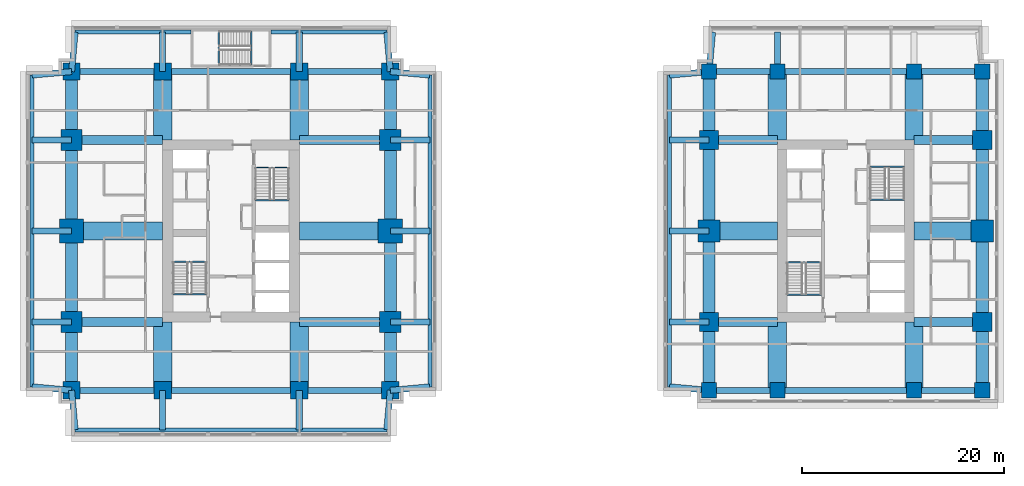
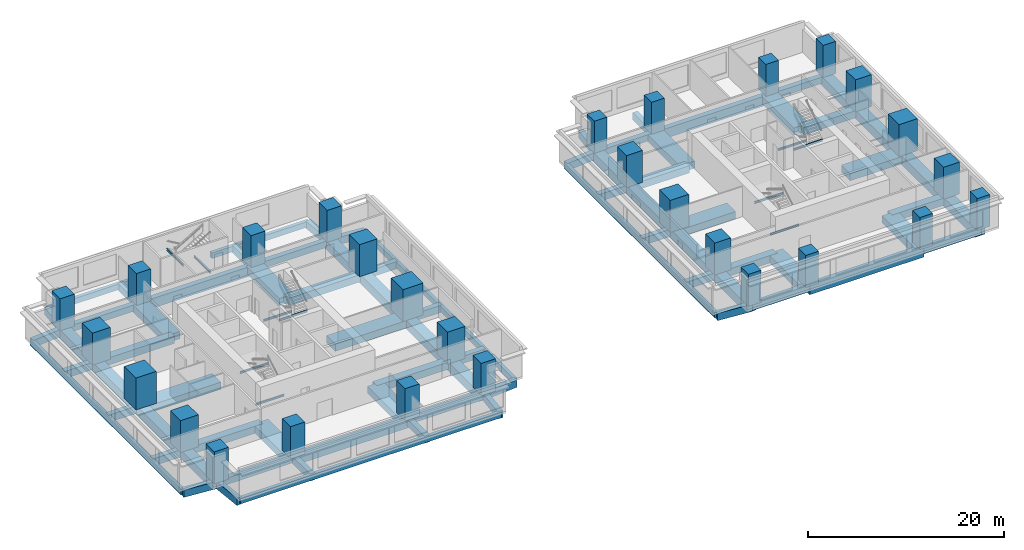
# One storey, part 1 of 10: 89 beams, 28 columns.
"""IFC4 building model written with IfcOpenShell, lengths in metres."""

from ifc_helpers import new_model, si_unit, direction, frame, origin, origin_2d, place, context, subcontext, project, spatial, rectangle, i_section, extrude, material, material_profile, profile_set, type_object, element, save


model = new_model("IFC4")

# Units and contexts
model_context = context("Model", 3, precision=1e-05, world=origin(), true_north=direction((0.0, 1.0)))
body_context = subcontext(model_context, "Body", "Model", "MODEL_VIEW")
ifc_project = project(units=[si_unit("LENGTHUNIT", "METRE"), si_unit("AREAUNIT", "SQUARE_METRE"), si_unit("VOLUMEUNIT", "CUBIC_METRE"), si_unit("PLANEANGLEUNIT", "RADIAN"), si_unit("MASSUNIT", "GRAM", prefix="KILO")], contexts=[model_context])

# Site, building, storey
site_placement = place(None, origin())
site = spatial("IfcSite", under=ifc_project, at=site_placement, CompositionType="ELEMENT")
building_placement = place(site_placement, origin())
building = spatial("IfcBuilding", under=site, at=building_placement, Name="Namib Vertical Campus", CompositionType="ELEMENT")
storey_placement = place(building_placement, frame((0.0, 0.0, 161.0)))
storey = spatial("IfcBuildingStorey", under=building, at=storey_placement, Name="L38", CompositionType="ELEMENT", Elevation=161.0)

# Columns
ifc_material_1 = material(Name="Concrete C60/75", Category="concrete")
ifc_material_profile_1 = material_profile(ifc_material_1, rectangle(XDim=1.5, YDim=1.5, at=origin_2d()))
ifc_profile_set_1 = profile_set([ifc_material_profile_1], Name="Concrete C60/75")
column_type_1 = type_object("IfcColumnType", Name="Column RC 1500x1500", PredefinedType="COLUMN", material=ifc_profile_set_1)
for number, where, z_axis, x_axis, name in (
    (1, (67.5, 4.5, 0.0), (0.0, 0.0, 1.0), (1.0, 0.0, 0.0), "Column C150 L38"),
    (2, (74.25, 4.5, 0.0), (0.0, 0.0, 1.0), (1.0, 0.0, 0.0), "Column C150 L38"),
    (3, (87.75, 4.5, 0.0), (0.0, 0.0, 1.0), (1.0, 0.0, 0.0), "Column C150 L38"),
    (4, (94.5, 4.5, 0.0), (0.0, 0.0, 1.0), (1.0, 0.0, 0.0), "Column C150 L38"),
    (5, (67.5, 36.0, 0.0), (0.0, 0.0, 1.0), (1.0, 0.0, 0.0), "Column C150 L38"),
    (6, (74.25, 36.0, 0.0), (0.0, 0.0, 1.0), (1.0, 0.0, 0.0), "Column C150 L38"),
    (7, (87.75, 36.0, 0.0), (0.0, 0.0, 1.0), (1.0, 0.0, 0.0), "Column C150 L38"),
    (8, (94.5, 36.0, 0.0), (0.0, 0.0, 1.0), (1.0, 0.0, 0.0), "Column C150 L38"),
):
    element("IfcColumn", number, at=place(storey_placement, frame(where, z_axis=z_axis, x_axis=x_axis)), inside=storey, type_object=column_type_1, Name=name, PredefinedType="COLUMN", context=body_context, shape_type="SweptSolid", body=[
        extrude(rectangle(XDim=1.5, YDim=1.5, at=origin_2d()), origin(), (0.0, 0.0, 1.0), 4.0),
    ])
ifc_material_2 = material(Name="Concrete C60/75", Category="concrete")
ifc_material_profile_2 = material_profile(ifc_material_2, rectangle(XDim=1.699951171875, YDim=1.699951171875, at=origin_2d()))
ifc_profile_set_2 = profile_set([ifc_material_profile_2], Name="Concrete C60/75")
column_type_2 = type_object("IfcColumnType", Name="Column RC 1700x1700", PredefinedType="COLUMN", material=ifc_profile_set_2)
for number, where, z_axis, x_axis, name in (
    (9, (4.5, 4.5, 0.0), (0.0, 0.0, 1.0), (1.0, 0.0, 0.0), "Column C170 L38"),
    (10, (13.5, 4.5, 0.0), (0.0, 0.0, 1.0), (1.0, 0.0, 0.0), "Column C170 L38"),
    (11, (27.0, 4.5, 0.0), (0.0, 0.0, 1.0), (1.0, 0.0, 0.0), "Column C170 L38"),
    (12, (36.0, 4.5, 0.0), (0.0, 0.0, 1.0), (1.0, 0.0, 0.0), "Column C170 L38"),
    (13, (4.5, 36.0, 0.0), (0.0, 0.0, 1.0), (1.0, 0.0, 0.0), "Column C170 L38"),
    (14, (13.5, 36.0, 0.0), (0.0, 0.0, 1.0), (1.0, 0.0, 0.0), "Column C170 L38"),
    (15, (27.0, 36.0, 0.0), (0.0, 0.0, 1.0), (1.0, 0.0, 0.0), "Column C170 L38"),
    (16, (36.0, 36.0, 0.0), (0.0, 0.0, 1.0), (1.0, 0.0, 0.0), "Column C170 L38"),
):
    element("IfcColumn", number, at=place(storey_placement, frame(where, z_axis=z_axis, x_axis=x_axis)), inside=storey, type_object=column_type_2, Name=name, PredefinedType="COLUMN", context=body_context, shape_type="SweptSolid", body=[
        extrude(rectangle(XDim=1.699951171875, YDim=1.699951171875, at=origin_2d()), origin(), (0.0, 0.0, 1.0), 4.0),
    ])
ifc_material_3 = material(Name="Concrete C60/75", Category="concrete")
ifc_material_profile_3 = material_profile(ifc_material_3, rectangle(XDim=1.89990234375, YDim=1.89990234375, at=origin_2d()))
ifc_profile_set_3 = profile_set([ifc_material_profile_3], Name="Concrete C60/75")
column_type_3 = type_object("IfcColumnType", Name="Column RC 1900x1900", PredefinedType="COLUMN", material=ifc_profile_set_3)
for number, where, z_axis, x_axis, name in (
    (17, (67.5, 11.25, 0.0), (0.0, 0.0, 1.0), (1.0, 0.0, 0.0), "Column C190 L38"),
    (18, (94.5, 11.25, 0.0), (0.0, 0.0, 1.0), (1.0, 0.0, 0.0), "Column C190 L38"),
    (19, (67.5, 29.25, 0.0), (0.0, 0.0, 1.0), (1.0, 0.0, 0.0), "Column C190 L38"),
    (20, (94.5, 29.25, 0.0), (0.0, 0.0, 1.0), (1.0, 0.0, 0.0), "Column C190 L38"),
):
    element("IfcColumn", number, at=place(storey_placement, frame(where, z_axis=z_axis, x_axis=x_axis)), inside=storey, type_object=column_type_3, Name=name, PredefinedType="COLUMN", context=body_context, shape_type="SweptSolid", body=[
        extrude(rectangle(XDim=1.89990234375, YDim=1.89990234375, at=origin_2d()), origin(), (0.0, 0.0, 1.0), 4.0),
    ])
ifc_material_4 = material(Name="Concrete C60/75", Category="concrete")
ifc_material_profile_4 = material_profile(ifc_material_4, rectangle(XDim=2.10009765625, YDim=2.10009765625, at=origin_2d()))
ifc_profile_set_4 = profile_set([ifc_material_profile_4], Name="Concrete C60/75")
column_type_4 = type_object("IfcColumnType", Name="Column RC 2100x2100", PredefinedType="COLUMN", material=ifc_profile_set_4)
for number, where, z_axis, x_axis, name in (
    (21, (4.5, 11.25, 0.0), (0.0, 0.0, 1.0), (1.0, 0.0, 0.0), "Column C210 L38"),
    (22, (36.0, 11.25, 0.0), (0.0, 0.0, 1.0), (1.0, 0.0, 0.0), "Column C210 L38"),
    (23, (4.5, 29.25, 0.0), (0.0, 0.0, 1.0), (1.0, 0.0, 0.0), "Column C210 L38"),
    (24, (36.0, 29.25, 0.0), (0.0, 0.0, 1.0), (1.0, 0.0, 0.0), "Column C210 L38"),
):
    element("IfcColumn", number, at=place(storey_placement, frame(where, z_axis=z_axis, x_axis=x_axis)), inside=storey, type_object=column_type_4, Name=name, PredefinedType="COLUMN", context=body_context, shape_type="SweptSolid", body=[
        extrude(rectangle(XDim=2.10009765625, YDim=2.10009765625, at=origin_2d()), origin(), (0.0, 0.0, 1.0), 4.0),
    ])
ifc_material_5 = material(Name="Concrete C60/75", Category="concrete")
ifc_material_profile_5 = material_profile(ifc_material_5, rectangle(XDim=2.199951171875, YDim=2.199951171875, at=origin_2d()))
ifc_profile_set_5 = profile_set([ifc_material_profile_5], Name="Concrete C60/75")
column_type_5 = type_object("IfcColumnType", Name="Column RC 2200x2200", PredefinedType="COLUMN", material=ifc_profile_set_5)
for number, where, z_axis, x_axis, name in (
    (25, (67.5, 20.25, 0.0), (0.0, 0.0, 1.0), (1.0, 0.0, 0.0), "Column C220 L38"),
    (26, (94.5, 20.25, 0.0), (0.0, 0.0, 1.0), (1.0, 0.0, 0.0), "Column C220 L38"),
):
    element("IfcColumn", number, at=place(storey_placement, frame(where, z_axis=z_axis, x_axis=x_axis)), inside=storey, type_object=column_type_5, Name=name, PredefinedType="COLUMN", context=body_context, shape_type="SweptSolid", body=[
        extrude(rectangle(XDim=2.199951171875, YDim=2.199951171875, at=origin_2d()), origin(), (0.0, 0.0, 1.0), 4.0),
    ])
ifc_material_6 = material(Name="Concrete C60/75", Category="concrete")
ifc_material_profile_6 = material_profile(ifc_material_6, rectangle(XDim=2.39990234375, YDim=2.39990234375, at=origin_2d()))
ifc_profile_set_6 = profile_set([ifc_material_profile_6], Name="Concrete C60/75")
column_type_6 = type_object("IfcColumnType", Name="Column RC 2400x2400", PredefinedType="COLUMN", material=ifc_profile_set_6)
for number, where, z_axis, x_axis, name in (
    (27, (4.5, 20.25, 0.0), (0.0, 0.0, 1.0), (1.0, 0.0, 0.0), "Column C240 L38"),
    (28, (36.0, 20.25, 0.0), (0.0, 0.0, 1.0), (1.0, 0.0, 0.0), "Column C240 L38"),
):
    element("IfcColumn", number, at=place(storey_placement, frame(where, z_axis=z_axis, x_axis=x_axis)), inside=storey, type_object=column_type_6, Name=name, PredefinedType="COLUMN", context=body_context, shape_type="SweptSolid", body=[
        extrude(rectangle(XDim=2.39990234375, YDim=2.39990234375, at=origin_2d()), origin(), (0.0, 0.0, 1.0), 4.0),
    ])

# Beams
ifc_material_7 = material(Name="Concrete C40/50", Category="concrete")
ifc_material_profile_7 = material_profile(ifc_material_7, rectangle(XDim=0.60009765625, YDim=0.89990234375, at=origin_2d()))
ifc_profile_set_7 = profile_set([ifc_material_profile_7], Name="Concrete C40/50")
beam_type_1 = type_object("IfcBeamType", Name="Cantilever girder RC 600x900", PredefinedType="BEAM", material=ifc_profile_set_7)
beam_1_placement = place(storey_placement, frame((4.5, 4.5, -0.699951171875), z_axis=(0.089411326146, -0.995994786511, 0.0), x_axis=(0.995994786511, 0.089411326146, 0.0)))
element("IfcBeam", 29, at=beam_1_placement, inside=storey, type_object=beam_type_1, Name="Beam B3 L38", PredefinedType="BEAM", context=body_context, shape_type="SweptSolid", body=[
    extrude(rectangle(XDim=0.60009765625, YDim=0.89990234375, at=origin_2d()), origin(), (0.0, 0.0, 1.0), 3.91552734375),
])
for number, where, z_axis, x_axis, name in (
    (30, (13.5, 4.5, -0.699951171875), (0.0, -1.0, 0.0), (1.0, 0.0, 0.0), "Beam B3 L38"),
    (31, (27.0, 4.5, -0.699951171875), (0.0, -1.0, 0.0), (1.0, 0.0, 0.0), "Beam B3 L38"),
):
    element("IfcBeam", number, at=place(storey_placement, frame(where, z_axis=z_axis, x_axis=x_axis)), inside=storey, type_object=beam_type_1, Name=name, PredefinedType="BEAM", context=body_context, shape_type="SweptSolid", body=[
        extrude(rectangle(XDim=0.60009765625, YDim=0.89990234375, at=origin_2d()), origin(), (0.0, 0.0, 1.0), 3.89990234375),
    ])
for number, where, z_axis, x_axis, name in (
    (32, (36.0, 4.5, -0.699951171875), (-0.089411326146, -0.995994786511, 0.0), (0.995994786511, -0.089411326146, 0.0), "Beam B3 L38"),
    (33, (4.5, 36.0, -0.699951171875), (0.089411326146, 0.995994786511, 0.0), (-0.995994786511, 0.089411326146, 0.0), "Beam B3 L38"),
):
    element("IfcBeam", number, at=place(storey_placement, frame(where, z_axis=z_axis, x_axis=x_axis)), inside=storey, type_object=beam_type_1, Name=name, PredefinedType="BEAM", context=body_context, shape_type="SweptSolid", body=[
        extrude(rectangle(XDim=0.60009765625, YDim=0.89990234375, at=origin_2d()), origin(), (0.0, 0.0, 1.0), 3.91552734375),
    ])
for number, where, z_axis, x_axis, name in (
    (34, (13.5, 36.0, -0.699951171875), (0.0, 1.0, 0.0), (-1.0, 0.0, 0.0), "Beam B3 L38"),
    (35, (27.0, 36.0, -0.699951171875), (0.0, 1.0, 0.0), (-1.0, 0.0, 0.0), "Beam B3 L38"),
):
    element("IfcBeam", number, at=place(storey_placement, frame(where, z_axis=z_axis, x_axis=x_axis)), inside=storey, type_object=beam_type_1, Name=name, PredefinedType="BEAM", context=body_context, shape_type="SweptSolid", body=[
        extrude(rectangle(XDim=0.60009765625, YDim=0.89990234375, at=origin_2d()), origin(), (0.0, 0.0, 1.0), 3.89990234375),
    ])
for number, where, z_axis, x_axis, name in (
    (36, (36.0, 36.0, -0.699951171875), (-0.089411326146, 0.995994786511, 0.0), (-0.995994786511, -0.089411326146, 0.0), "Beam B3 L38"),
    (37, (4.5, 4.5, -0.699951171875), (-0.995994786511, 0.089411326146, 0.0), (-0.089411326146, -0.995994786511, 0.0), "Beam B3 L38"),
):
    element("IfcBeam", number, at=place(storey_placement, frame(where, z_axis=z_axis, x_axis=x_axis)), inside=storey, type_object=beam_type_1, Name=name, PredefinedType="BEAM", context=body_context, shape_type="SweptSolid", body=[
        extrude(rectangle(XDim=0.60009765625, YDim=0.89990234375, at=origin_2d()), origin(), (0.0, 0.0, 1.0), 3.91552734375),
    ])
for number, where, z_axis, x_axis, name in (
    (38, (4.5, 11.25, -0.699951171875), (-1.0, 0.0, 0.0), (0.0, -1.0, 0.0), "Beam B3 L38"),
    (39, (4.5, 20.25, -0.699951171875), (-1.0, 0.0, 0.0), (0.0, -1.0, 0.0), "Beam B3 L38"),
    (40, (4.5, 29.25, -0.699951171875), (-1.0, 0.0, 0.0), (0.0, -1.0, 0.0), "Beam B3 L38"),
):
    element("IfcBeam", number, at=place(storey_placement, frame(where, z_axis=z_axis, x_axis=x_axis)), inside=storey, type_object=beam_type_1, Name=name, PredefinedType="BEAM", context=body_context, shape_type="SweptSolid", body=[
        extrude(rectangle(XDim=0.60009765625, YDim=0.89990234375, at=origin_2d()), origin(), (0.0, 0.0, 1.0), 3.89990234375),
    ])
for number, where, z_axis, x_axis, name in (
    (41, (4.5, 36.0, -0.699951171875), (-0.995994786511, -0.089411326146, 0.0), (0.089411326146, -0.995994786511, 0.0), "Beam B3 L38"),
    (42, (36.0, 4.5, -0.699951171875), (0.995994786511, 0.089411326146, 0.0), (-0.089411326146, 0.995994786511, 0.0), "Beam B3 L38"),
):
    element("IfcBeam", number, at=place(storey_placement, frame(where, z_axis=z_axis, x_axis=x_axis)), inside=storey, type_object=beam_type_1, Name=name, PredefinedType="BEAM", context=body_context, shape_type="SweptSolid", body=[
        extrude(rectangle(XDim=0.60009765625, YDim=0.89990234375, at=origin_2d()), origin(), (0.0, 0.0, 1.0), 3.91552734375),
    ])
for number, where, z_axis, x_axis, name in (
    (43, (36.0, 11.25, -0.699951171875), (1.0, 0.0, 0.0), (0.0, 1.0, 0.0), "Beam B3 L38"),
    (44, (36.0, 20.25, -0.699951171875), (1.0, 0.0, 0.0), (0.0, 1.0, 0.0), "Beam B3 L38"),
    (45, (36.0, 29.25, -0.699951171875), (1.0, 0.0, 0.0), (0.0, 1.0, 0.0), "Beam B3 L38"),
):
    element("IfcBeam", number, at=place(storey_placement, frame(where, z_axis=z_axis, x_axis=x_axis)), inside=storey, type_object=beam_type_1, Name=name, PredefinedType="BEAM", context=body_context, shape_type="SweptSolid", body=[
        extrude(rectangle(XDim=0.60009765625, YDim=0.89990234375, at=origin_2d()), origin(), (0.0, 0.0, 1.0), 3.89990234375),
    ])
for number, where, z_axis, x_axis, name in (
    (46, (36.0, 36.0, -0.699951171875), (0.995994786511, -0.089411326146, 0.0), (0.089411326146, 0.995994786511, 0.0), "Beam B3 L38"),
    (47, (67.5, 36.0, -0.699951171875), (0.089411326146, 0.995994786511, 0.0), (-0.995994786511, 0.089411326146, 0.0), "Beam B3 L38"),
):
    element("IfcBeam", number, at=place(storey_placement, frame(where, z_axis=z_axis, x_axis=x_axis)), inside=storey, type_object=beam_type_1, Name=name, PredefinedType="BEAM", context=body_context, shape_type="SweptSolid", body=[
        extrude(rectangle(XDim=0.60009765625, YDim=0.89990234375, at=origin_2d()), origin(), (0.0, 0.0, 1.0), 3.91552734375),
    ])
beam_2_placement = place(storey_placement, frame((74.25, 36.0, -0.699951171875), z_axis=(0.0, 1.0, 0.0), x_axis=(-1.0, 0.0, 0.0)))
element("IfcBeam", 48, at=beam_2_placement, inside=storey, type_object=beam_type_1, Name="Beam B3 L38", PredefinedType="BEAM", context=body_context, shape_type="SweptSolid", body=[
    extrude(rectangle(XDim=0.60009765625, YDim=0.89990234375, at=origin_2d()), origin(), (0.0, 0.0, 1.0), 3.89990234375),
])
beam_3_placement = place(storey_placement, frame((67.5, 4.5, -0.699951171875), z_axis=(-0.995994786511, 0.089411326146, 0.0), x_axis=(-0.089411326146, -0.995994786511, 0.0)))
element("IfcBeam", 49, at=beam_3_placement, inside=storey, type_object=beam_type_1, Name="Beam B3 L38", PredefinedType="BEAM", context=body_context, shape_type="SweptSolid", body=[
    extrude(rectangle(XDim=0.60009765625, YDim=0.89990234375, at=origin_2d()), origin(), (0.0, 0.0, 1.0), 3.91552734375),
])
for number, where, z_axis, x_axis, name in (
    (50, (67.5, 11.25, -0.699951171875), (-1.0, 0.0, 0.0), (0.0, -1.0, 0.0), "Beam B3 L38"),
    (51, (67.5, 20.25, -0.699951171875), (-1.0, 0.0, 0.0), (0.0, -1.0, 0.0), "Beam B3 L38"),
    (52, (67.5, 29.25, -0.699951171875), (-1.0, 0.0, 0.0), (0.0, -1.0, 0.0), "Beam B3 L38"),
):
    element("IfcBeam", number, at=place(storey_placement, frame(where, z_axis=z_axis, x_axis=x_axis)), inside=storey, type_object=beam_type_1, Name=name, PredefinedType="BEAM", context=body_context, shape_type="SweptSolid", body=[
        extrude(rectangle(XDim=0.60009765625, YDim=0.89990234375, at=origin_2d()), origin(), (0.0, 0.0, 1.0), 3.89990234375),
    ])
beam_4_placement = place(storey_placement, frame((67.5, 36.0, -0.699951171875), z_axis=(-0.995994786511, -0.089411326146, 0.0), x_axis=(0.089411326146, -0.995994786511, 0.0)))
element("IfcBeam", 53, at=beam_4_placement, inside=storey, type_object=beam_type_1, Name="Beam B3 L38", PredefinedType="BEAM", context=body_context, shape_type="SweptSolid", body=[
    extrude(rectangle(XDim=0.60009765625, YDim=0.89990234375, at=origin_2d()), origin(), (0.0, 0.0, 1.0), 3.91552734375),
])
ifc_material_8 = material(Name="Concrete C40/50", Category="concrete")
ifc_material_profile_8 = material_profile(ifc_material_8, rectangle(XDim=0.39990234375, YDim=0.699951171875, at=origin_2d()))
ifc_profile_set_8 = profile_set([ifc_material_profile_8], Name="Concrete C40/50")
beam_type_2 = type_object("IfcBeamType", Name="Edge beam RC 400x700", PredefinedType="SPANDREL", material=ifc_profile_set_8)
beam_5_placement = place(storey_placement, frame((4.85009765625, 0.60009765625, -0.60009765625), z_axis=(1.0, 0.0, 0.0), x_axis=(0.0, 1.0, 0.0)))
element("IfcBeam", 54, at=beam_5_placement, inside=storey, type_object=beam_type_2, Name="Beam B4 L38", PredefinedType="SPANDREL", context=body_context, shape_type="SweptSolid", body=[
    extrude(rectangle(XDim=0.39990234375, YDim=0.699951171875, at=origin_2d()), origin(), (0.0, 0.0, 1.0), 30.7998046875),
])
for number, where, z_axis, x_axis, name in (
    (55, (4.85009765625, 39.89990234375, -0.60009765625), (1.0, 0.0, 0.0), (0.0, 1.0, 0.0), "Beam B4 L38"),
    (56, (24.199951171875, 39.89990234375, -0.60009765625), (1.0, 0.0, 0.0), (0.0, 1.0, 0.0), "Beam B4 L38"),
):
    element("IfcBeam", number, at=place(storey_placement, frame(where, z_axis=z_axis, x_axis=x_axis)), inside=storey, type_object=beam_type_2, Name=name, PredefinedType="SPANDREL", context=body_context, shape_type="SweptSolid", body=[
        extrude(rectangle(XDim=0.39990234375, YDim=0.699951171875, at=origin_2d()), origin(), (0.0, 0.0, 1.0), 11.449951171875),
    ])
for number, where, z_axis, x_axis, name in (
    (57, (0.60009765625, 4.85009765625, -0.60009765625), (0.0, 1.0, 0.0), (-1.0, 0.0, 0.0), "Beam B4 L38"),
    (58, (39.89990234375, 4.85009765625, -0.60009765625), (0.0, 1.0, 0.0), (-1.0, 0.0, 0.0), "Beam B4 L38"),
    (59, (63.60009765625, 4.85009765625, -0.60009765625), (0.0, 1.0, 0.0), (-1.0, 0.0, 0.0), "Beam B4 L38"),
):
    element("IfcBeam", number, at=place(storey_placement, frame(where, z_axis=z_axis, x_axis=x_axis)), inside=storey, type_object=beam_type_2, Name=name, PredefinedType="SPANDREL", context=body_context, shape_type="SweptSolid", body=[
        extrude(rectangle(XDim=0.39990234375, YDim=0.699951171875, at=origin_2d()), origin(), (0.0, 0.0, 1.0), 30.7998046875),
    ])
ifc_material_9 = material(Name="Concrete C40/50", Category="concrete")
ifc_material_profile_9 = material_profile(ifc_material_9, rectangle(XDim=0.89990234375, YDim=0.89990234375, at=origin_2d()))
ifc_profile_set_9 = profile_set([ifc_material_profile_9], Name="Concrete C40/50")
beam_type_3 = type_object("IfcBeamType", Name="Face girder RC 900x900", PredefinedType="BEAM", material=ifc_profile_set_9)
for number, where, z_axis, x_axis, name in (
    (60, (4.5, 11.25, -0.699951171875), (1.0, 0.0, 0.0), (0.0, 1.0, 0.0), "Beam B10 L38"),
    (61, (36.0, 11.25, -0.699951171875), (-1.0, 0.0, 0.0), (0.0, -1.0, 0.0), "Beam B10 L38"),
    (62, (4.5, 29.25, -0.699951171875), (1.0, 0.0, 0.0), (0.0, 1.0, 0.0), "Beam B10 L38"),
    (63, (36.0, 29.25, -0.699951171875), (-1.0, 0.0, 0.0), (0.0, -1.0, 0.0), "Beam B10 L38"),
):
    element("IfcBeam", number, at=place(storey_placement, frame(where, z_axis=z_axis, x_axis=x_axis)), inside=storey, type_object=beam_type_3, Name=name, PredefinedType="BEAM", context=body_context, shape_type="SweptSolid", body=[
        extrude(rectangle(XDim=0.89990234375, YDim=0.89990234375, at=origin_2d()), origin(), (0.0, 0.0, 1.0), 9.0),
    ])
for number, where, z_axis, x_axis, name in (
    (64, (67.5, 11.25, -0.699951171875), (1.0, 0.0, 0.0), (0.0, 1.0, 0.0), "Beam B10 L38"),
    (65, (94.5, 11.25, -0.699951171875), (-1.0, 0.0, 0.0), (0.0, -1.0, 0.0), "Beam B10 L38"),
    (66, (67.5, 29.25, -0.699951171875), (1.0, 0.0, 0.0), (0.0, 1.0, 0.0), "Beam B10 L38"),
    (67, (94.5, 29.25, -0.699951171875), (-1.0, 0.0, 0.0), (0.0, -1.0, 0.0), "Beam B10 L38"),
):
    element("IfcBeam", number, at=place(storey_placement, frame(where, z_axis=z_axis, x_axis=x_axis)), inside=storey, type_object=beam_type_3, Name=name, PredefinedType="BEAM", context=body_context, shape_type="SweptSolid", body=[
        extrude(rectangle(XDim=0.89990234375, YDim=0.89990234375, at=origin_2d()), origin(), (0.0, 0.0, 1.0), 6.75),
    ])
ifc_material_10 = material(Name="Concrete C40/50", Category="concrete")
ifc_material_profile_10 = material_profile(ifc_material_10, rectangle(XDim=1.199951171875, YDim=1.10009765625, at=origin_2d()))
ifc_profile_set_10 = profile_set([ifc_material_profile_10], Name="Concrete C40/50")
beam_type_4 = type_object("IfcBeamType", Name="Face ring beam RC 1200x1100", PredefinedType="BEAM", material=ifc_profile_set_10)
beam_6_placement = place(storey_placement, frame((4.5, 4.5, -0.800048828125), z_axis=(0.0, 1.0, 0.0), x_axis=(-1.0, 0.0, 0.0)))
element("IfcBeam", 68, at=beam_6_placement, inside=storey, type_object=beam_type_4, Name="Beam B11 L38", PredefinedType="BEAM", context=body_context, shape_type="SweptSolid", body=[
    extrude(rectangle(XDim=1.199951171875, YDim=1.10009765625, at=origin_2d()), origin(), (0.0, 0.0, 1.0), 6.75),
])
for number, where, z_axis, x_axis, name in (
    (69, (4.5, 11.25, -0.800048828125), (0.0, 1.0, 0.0), (-1.0, 0.0, 0.0), "Beam B11 L38"),
    (70, (4.5, 20.25, -0.800048828125), (0.0, 1.0, 0.0), (-1.0, 0.0, 0.0), "Beam B11 L38"),
):
    element("IfcBeam", number, at=place(storey_placement, frame(where, z_axis=z_axis, x_axis=x_axis)), inside=storey, type_object=beam_type_4, Name=name, PredefinedType="BEAM", context=body_context, shape_type="SweptSolid", body=[
        extrude(rectangle(XDim=1.199951171875, YDim=1.10009765625, at=origin_2d()), origin(), (0.0, 0.0, 1.0), 9.0),
    ])
for number, where, z_axis, x_axis, name in (
    (71, (4.5, 29.25, -0.800048828125), (0.0, 1.0, 0.0), (-1.0, 0.0, 0.0), "Beam B11 L38"),
    (72, (36.0, 4.5, -0.800048828125), (0.0, 1.0, 0.0), (-1.0, 0.0, 0.0), "Beam B11 L38"),
):
    element("IfcBeam", number, at=place(storey_placement, frame(where, z_axis=z_axis, x_axis=x_axis)), inside=storey, type_object=beam_type_4, Name=name, PredefinedType="BEAM", context=body_context, shape_type="SweptSolid", body=[
        extrude(rectangle(XDim=1.199951171875, YDim=1.10009765625, at=origin_2d()), origin(), (0.0, 0.0, 1.0), 6.75),
    ])
for number, where, z_axis, x_axis, name in (
    (73, (36.0, 11.25, -0.800048828125), (0.0, 1.0, 0.0), (-1.0, 0.0, 0.0), "Beam B11 L38"),
    (74, (36.0, 20.25, -0.800048828125), (0.0, 1.0, 0.0), (-1.0, 0.0, 0.0), "Beam B11 L38"),
):
    element("IfcBeam", number, at=place(storey_placement, frame(where, z_axis=z_axis, x_axis=x_axis)), inside=storey, type_object=beam_type_4, Name=name, PredefinedType="BEAM", context=body_context, shape_type="SweptSolid", body=[
        extrude(rectangle(XDim=1.199951171875, YDim=1.10009765625, at=origin_2d()), origin(), (0.0, 0.0, 1.0), 9.0),
    ])
for number, where, z_axis, x_axis, name in (
    (75, (36.0, 29.25, -0.800048828125), (0.0, 1.0, 0.0), (-1.0, 0.0, 0.0), "Beam B11 L38"),
    (76, (67.5, 4.5, -0.800048828125), (0.0, 1.0, 0.0), (-1.0, 0.0, 0.0), "Beam B11 L38"),
):
    element("IfcBeam", number, at=place(storey_placement, frame(where, z_axis=z_axis, x_axis=x_axis)), inside=storey, type_object=beam_type_4, Name=name, PredefinedType="BEAM", context=body_context, shape_type="SweptSolid", body=[
        extrude(rectangle(XDim=1.199951171875, YDim=1.10009765625, at=origin_2d()), origin(), (0.0, 0.0, 1.0), 6.75),
    ])
for number, where, z_axis, x_axis, name in (
    (77, (67.5, 11.25, -0.800048828125), (0.0, 1.0, 0.0), (-1.0, 0.0, 0.0), "Beam B11 L38"),
    (78, (67.5, 20.25, -0.800048828125), (0.0, 1.0, 0.0), (-1.0, 0.0, 0.0), "Beam B11 L38"),
):
    element("IfcBeam", number, at=place(storey_placement, frame(where, z_axis=z_axis, x_axis=x_axis)), inside=storey, type_object=beam_type_4, Name=name, PredefinedType="BEAM", context=body_context, shape_type="SweptSolid", body=[
        extrude(rectangle(XDim=1.199951171875, YDim=1.10009765625, at=origin_2d()), origin(), (0.0, 0.0, 1.0), 9.0),
    ])
for number, where, z_axis, x_axis, name in (
    (79, (67.5, 29.25, -0.800048828125), (0.0, 1.0, 0.0), (-1.0, 0.0, 0.0), "Beam B11 L38"),
    (80, (94.5, 4.5, -0.800048828125), (0.0, 1.0, 0.0), (-1.0, 0.0, 0.0), "Beam B11 L38"),
):
    element("IfcBeam", number, at=place(storey_placement, frame(where, z_axis=z_axis, x_axis=x_axis)), inside=storey, type_object=beam_type_4, Name=name, PredefinedType="BEAM", context=body_context, shape_type="SweptSolid", body=[
        extrude(rectangle(XDim=1.199951171875, YDim=1.10009765625, at=origin_2d()), origin(), (0.0, 0.0, 1.0), 6.75),
    ])
for number, where, z_axis, x_axis, name in (
    (81, (94.5, 11.25, -0.800048828125), (0.0, 1.0, 0.0), (-1.0, 0.0, 0.0), "Beam B11 L38"),
    (82, (94.5, 20.25, -0.800048828125), (0.0, 1.0, 0.0), (-1.0, 0.0, 0.0), "Beam B11 L38"),
):
    element("IfcBeam", number, at=place(storey_placement, frame(where, z_axis=z_axis, x_axis=x_axis)), inside=storey, type_object=beam_type_4, Name=name, PredefinedType="BEAM", context=body_context, shape_type="SweptSolid", body=[
        extrude(rectangle(XDim=1.199951171875, YDim=1.10009765625, at=origin_2d()), origin(), (0.0, 0.0, 1.0), 9.0),
    ])
beam_7_placement = place(storey_placement, frame((94.5, 29.25, -0.800048828125), z_axis=(0.0, 1.0, 0.0), x_axis=(-1.0, 0.0, 0.0)))
element("IfcBeam", 83, at=beam_7_placement, inside=storey, type_object=beam_type_4, Name="Beam B11 L38", PredefinedType="BEAM", context=body_context, shape_type="SweptSolid", body=[
    extrude(rectangle(XDim=1.199951171875, YDim=1.10009765625, at=origin_2d()), origin(), (0.0, 0.0, 1.0), 6.75),
])
ifc_material_11 = material(Name="Steel S355JR", Category="steel")
ifc_material_profile_11 = material_profile(ifc_material_11, i_section(OverallWidth=0.14599609375, OverallDepth=0.25146484375, WebThickness=0.006103515625, FlangeThickness=0.008544921875, FilletRadius=0.007568359375, at=origin_2d()))
ifc_profile_set_11 = profile_set([ifc_material_profile_11], Name="Steel S355JR")
beam_type_5 = type_object("IfcBeamType", Name="Landing trimmer UB 254x146x31", PredefinedType="BEAM", material=ifc_profile_set_11)
for number, where, z_axis, x_axis, name in (
    (84, (14.5, 13.97705078125, -0.125732421875), (1.0, 0.0, 0.0), (0.0, 1.0, 0.0), "Landing trimmer LT1 A-S1 L38 1"),
    (85, (14.5, 17.203125, 1.874267578125), (1.0, 0.0, 0.0), (0.0, 1.0, 0.0), "Landing trimmer LT1 A-S1 L38 2"),
    (86, (22.64990234375, 26.52294921875, -0.125732421875), (1.0, 0.0, 0.0), (0.0, 1.0, 0.0), "Landing trimmer LT1 A-S2 L38 1"),
    (87, (22.64990234375, 23.296875, 1.874267578125), (1.0, 0.0, 0.0), (0.0, 1.0, 0.0), "Landing trimmer LT1 A-S2 L38 2"),
):
    element("IfcBeam", number, at=place(storey_placement, frame(where, z_axis=z_axis, x_axis=x_axis)), inside=storey, type_object=beam_type_5, Name=name, PredefinedType="BEAM", context=body_context, shape_type="SweptSolid", body=[
        extrude(i_section(OverallWidth=0.14599609375, OverallDepth=0.25146484375, WebThickness=0.006103515625, FlangeThickness=0.008544921875, FilletRadius=0.007568359375, at=origin_2d()), origin(), (0.0, 0.0, 1.0), 3.35009765625),
    ])
for number, where, z_axis, x_axis, name in (
    (88, (75.199951171875, 13.927001953125, -0.125732421875), (1.0, 0.0, 0.0), (0.0, 1.0, 0.0), "Landing trimmer LT1 B-S1 L38 1"),
    (89, (75.199951171875, 17.153076171875, 1.874267578125), (1.0, 0.0, 0.0), (0.0, 1.0, 0.0), "Landing trimmer LT1 B-S1 L38 2"),
    (90, (83.39990234375, 26.572998046875, -0.125732421875), (1.0, 0.0, 0.0), (0.0, 1.0, 0.0), "Landing trimmer LT1 B-S2 L38 1"),
    (91, (83.39990234375, 23.346923828125, 1.874267578125), (1.0, 0.0, 0.0), (0.0, 1.0, 0.0), "Landing trimmer LT1 B-S2 L38 2"),
):
    element("IfcBeam", number, at=place(storey_placement, frame(where, z_axis=z_axis, x_axis=x_axis)), inside=storey, type_object=beam_type_5, Name=name, PredefinedType="BEAM", context=body_context, shape_type="SweptSolid", body=[
        extrude(i_section(OverallWidth=0.14599609375, OverallDepth=0.25146484375, WebThickness=0.006103515625, FlangeThickness=0.008544921875, FilletRadius=0.007568359375, at=origin_2d()), origin(), (0.0, 0.0, 1.0), 3.400146484375),
    ])
for number, where, z_axis, x_axis, name in (
    (92, (22.27294921875, 36.64990234375, -0.125732421875), (0.0, 1.0, 0.0), (-1.0, 0.0, 0.0), "Landing trimmer LT1 A-S3 L38 1"),
    (93, (19.046875, 36.64990234375, 1.874267578125), (0.0, 1.0, 0.0), (-1.0, 0.0, 0.0), "Landing trimmer LT1 A-S3 L38 2"),
):
    element("IfcBeam", number, at=place(storey_placement, frame(where, z_axis=z_axis, x_axis=x_axis)), inside=storey, type_object=beam_type_5, Name=name, PredefinedType="BEAM", context=body_context, shape_type="SweptSolid", body=[
        extrude(i_section(OverallWidth=0.14599609375, OverallDepth=0.25146484375, WebThickness=0.006103515625, FlangeThickness=0.008544921875, FilletRadius=0.007568359375, at=origin_2d()), origin(), (0.0, 0.0, 1.0), 3.35009765625),
    ])
ifc_material_12 = material(Name="Concrete C40/50", Category="concrete")
ifc_material_profile_12 = material_profile(ifc_material_12, rectangle(XDim=0.60009765625, YDim=1.199951171875, at=origin_2d()))
ifc_profile_set_12 = profile_set([ifc_material_profile_12], Name="Concrete C40/50")
beam_type_6 = type_object("IfcBeamType", Name="Long-span ring beam RC 600x1200", PredefinedType="BEAM", material=ifc_profile_set_12)
for number, where, z_axis, x_axis, name in (
    (94, (13.5, 4.5, -0.85009765625), (1.0, 0.0, 0.0), (0.0, 1.0, 0.0), "Beam B9 L38"),
    (95, (13.5, 36.0, -0.85009765625), (1.0, 0.0, 0.0), (0.0, 1.0, 0.0), "Beam B9 L38"),
    (96, (74.25, 4.5, -0.85009765625), (1.0, 0.0, 0.0), (0.0, 1.0, 0.0), "Beam B9 L38"),
    (97, (74.25, 36.0, -0.85009765625), (1.0, 0.0, 0.0), (0.0, 1.0, 0.0), "Beam B9 L38"),
):
    element("IfcBeam", number, at=place(storey_placement, frame(where, z_axis=z_axis, x_axis=x_axis)), inside=storey, type_object=beam_type_6, Name=name, PredefinedType="BEAM", context=body_context, shape_type="SweptSolid", body=[
        extrude(rectangle(XDim=0.60009765625, YDim=1.199951171875, at=origin_2d()), origin(), (0.0, 0.0, 1.0), 13.5),
    ])
ifc_material_13 = material(Name="Concrete C40/50", Category="concrete")
ifc_material_profile_13 = material_profile(ifc_material_13, rectangle(XDim=1.800048828125, YDim=0.89990234375, at=origin_2d()))
ifc_profile_set_13 = profile_set([ifc_material_profile_13], Name="Concrete C40/50")
beam_type_7 = type_object("IfcBeamType", Name="Outrigger line girder RC 1800x900", PredefinedType="BEAM", material=ifc_profile_set_13)
for number, where, z_axis, x_axis, name in (
    (98, (13.5, 4.5, -0.699951171875), (0.0, 1.0, 0.0), (-1.0, 0.0, 0.0), "Beam B12 L38"),
    (99, (13.5, 36.0, -0.699951171875), (0.0, -1.0, 0.0), (1.0, 0.0, 0.0), "Beam B12 L38"),
    (100, (27.0, 4.5, -0.699951171875), (0.0, 1.0, 0.0), (-1.0, 0.0, 0.0), "Beam B12 L38"),
    (101, (27.0, 36.0, -0.699951171875), (0.0, -1.0, 0.0), (1.0, 0.0, 0.0), "Beam B12 L38"),
):
    element("IfcBeam", number, at=place(storey_placement, frame(where, z_axis=z_axis, x_axis=x_axis)), inside=storey, type_object=beam_type_7, Name=name, PredefinedType="BEAM", context=body_context, shape_type="SweptSolid", body=[
        extrude(rectangle(XDim=1.800048828125, YDim=0.89990234375, at=origin_2d()), origin(), (0.0, 0.0, 1.0), 6.75),
    ])
for number, where, z_axis, x_axis, name in (
    (102, (4.5, 20.25, -0.699951171875), (1.0, 0.0, 0.0), (0.0, 1.0, 0.0), "Beam B12 L38"),
    (103, (36.0, 20.25, -0.699951171875), (-1.0, 0.0, 0.0), (0.0, -1.0, 0.0), "Beam B12 L38"),
):
    element("IfcBeam", number, at=place(storey_placement, frame(where, z_axis=z_axis, x_axis=x_axis)), inside=storey, type_object=beam_type_7, Name=name, PredefinedType="BEAM", context=body_context, shape_type="SweptSolid", body=[
        extrude(rectangle(XDim=1.800048828125, YDim=0.89990234375, at=origin_2d()), origin(), (0.0, 0.0, 1.0), 9.0),
    ])
for number, where, z_axis, x_axis, name in (
    (104, (74.25, 4.5, -0.699951171875), (0.0, 1.0, 0.0), (-1.0, 0.0, 0.0), "Beam B12 L38"),
    (105, (74.25, 36.0, -0.699951171875), (0.0, -1.0, 0.0), (1.0, 0.0, 0.0), "Beam B12 L38"),
    (106, (87.75, 4.5, -0.699951171875), (0.0, 1.0, 0.0), (-1.0, 0.0, 0.0), "Beam B12 L38"),
    (107, (87.75, 36.0, -0.699951171875), (0.0, -1.0, 0.0), (1.0, 0.0, 0.0), "Beam B12 L38"),
    (108, (67.5, 20.25, -0.699951171875), (1.0, 0.0, 0.0), (0.0, 1.0, 0.0), "Beam B12 L38"),
    (109, (94.5, 20.25, -0.699951171875), (-1.0, 0.0, 0.0), (0.0, -1.0, 0.0), "Beam B12 L38"),
):
    element("IfcBeam", number, at=place(storey_placement, frame(where, z_axis=z_axis, x_axis=x_axis)), inside=storey, type_object=beam_type_7, Name=name, PredefinedType="BEAM", context=body_context, shape_type="SweptSolid", body=[
        extrude(rectangle(XDim=1.800048828125, YDim=0.89990234375, at=origin_2d()), origin(), (0.0, 0.0, 1.0), 6.75),
    ])
ifc_material_14 = material(Name="Concrete C40/50", Category="concrete")
ifc_material_profile_14 = material_profile(ifc_material_14, rectangle(XDim=0.60009765625, YDim=0.800048828125, at=origin_2d()))
ifc_profile_set_14 = profile_set([ifc_material_profile_14], Name="Concrete C40/50")
beam_type_8 = type_object("IfcBeamType", Name="Ring beam RC 600x800", PredefinedType="BEAM", material=ifc_profile_set_14)
for number, where, z_axis, x_axis, name in (
    (110, (4.5, 4.5, -0.64990234375), (1.0, 0.0, 0.0), (0.0, 1.0, 0.0), "Beam B1 L38"),
    (111, (27.0, 4.5, -0.64990234375), (1.0, 0.0, 0.0), (0.0, 1.0, 0.0), "Beam B1 L38"),
    (112, (4.5, 36.0, -0.64990234375), (1.0, 0.0, 0.0), (0.0, 1.0, 0.0), "Beam B1 L38"),
    (113, (27.0, 36.0, -0.64990234375), (1.0, 0.0, 0.0), (0.0, 1.0, 0.0), "Beam B1 L38"),
):
    element("IfcBeam", number, at=place(storey_placement, frame(where, z_axis=z_axis, x_axis=x_axis)), inside=storey, type_object=beam_type_8, Name=name, PredefinedType="BEAM", context=body_context, shape_type="SweptSolid", body=[
        extrude(rectangle(XDim=0.60009765625, YDim=0.800048828125, at=origin_2d()), origin(), (0.0, 0.0, 1.0), 9.0),
    ])
for number, where, z_axis, x_axis, name in (
    (114, (67.5, 4.5, -0.64990234375), (1.0, 0.0, 0.0), (0.0, 1.0, 0.0), "Beam B1 L38"),
    (115, (87.75, 4.5, -0.64990234375), (1.0, 0.0, 0.0), (0.0, 1.0, 0.0), "Beam B1 L38"),
    (116, (67.5, 36.0, -0.64990234375), (1.0, 0.0, 0.0), (0.0, 1.0, 0.0), "Beam B1 L38"),
    (117, (87.75, 36.0, -0.64990234375), (1.0, 0.0, 0.0), (0.0, 1.0, 0.0), "Beam B1 L38"),
):
    element("IfcBeam", number, at=place(storey_placement, frame(where, z_axis=z_axis, x_axis=x_axis)), inside=storey, type_object=beam_type_8, Name=name, PredefinedType="BEAM", context=body_context, shape_type="SweptSolid", body=[
        extrude(rectangle(XDim=0.60009765625, YDim=0.800048828125, at=origin_2d()), origin(), (0.0, 0.0, 1.0), 6.75),
    ])

save(model, "model.ifc")
